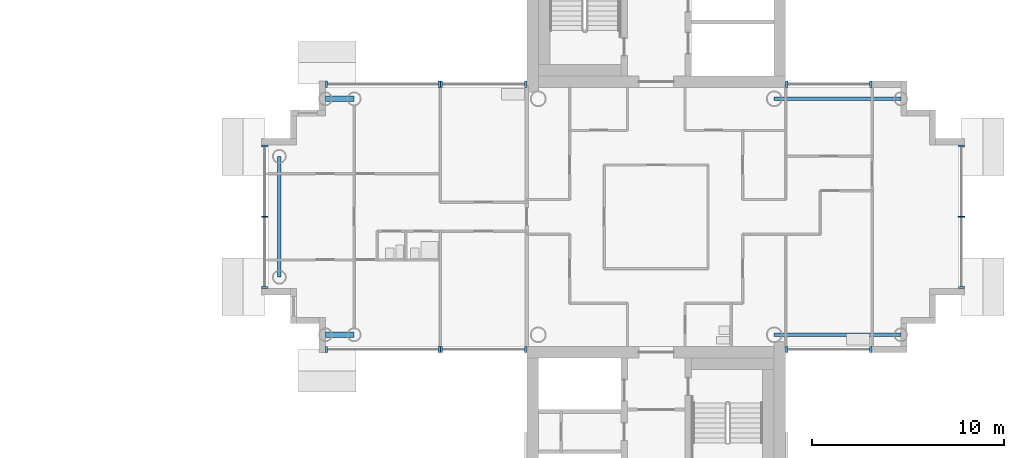
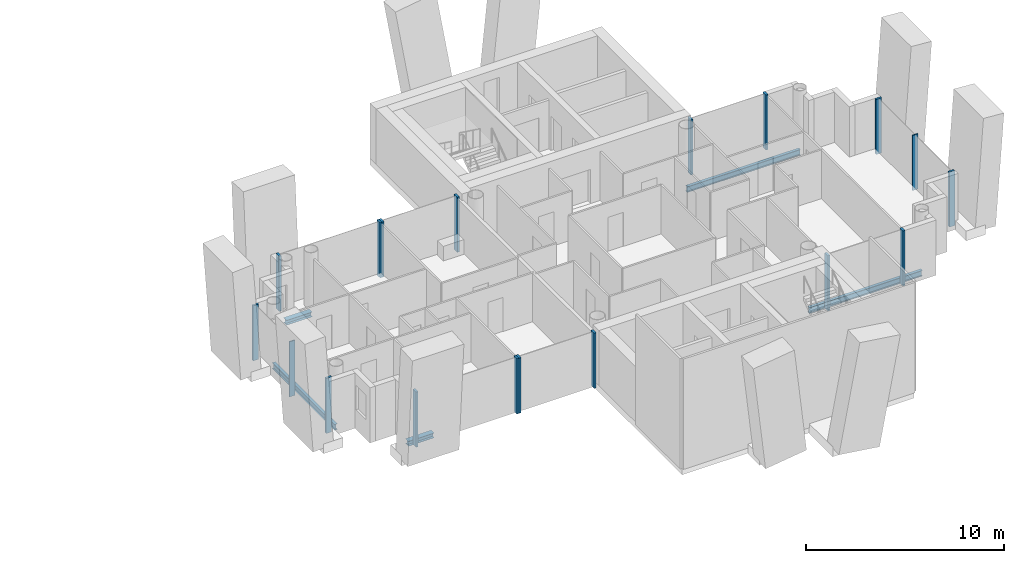
# One storey, part 4 of 18: 18 members, 5 beams, 8 elements without a shape of their own.
"""IFC4 building model written with IfcOpenShell, lengths in metres."""

from ifc_helpers import new_model, si_unit, direction, frame, origin, origin_2d, place, context, subcontext, project, spatial, rectangle, i_section, extrude, material, layer, layer_set, material_profile, profile_set, type_object, element, aggregate, save


model = new_model("IFC4")

# Units and contexts
model_context = context("Model", 3, precision=1e-05, world=origin(), true_north=direction((0.0, 1.0)))
body_context = subcontext(model_context, "Body", "Model", "MODEL_VIEW")
ifc_project = project(units=[si_unit("LENGTHUNIT", "METRE"), si_unit("AREAUNIT", "SQUARE_METRE"), si_unit("VOLUMEUNIT", "CUBIC_METRE"), si_unit("PLANEANGLEUNIT", "RADIAN"), si_unit("MASSUNIT", "GRAM", prefix="KILO")], contexts=[model_context])

# Site, building, storey
site_placement = place(None, origin())
site = spatial("IfcSite", under=ifc_project, at=site_placement, CompositionType="ELEMENT")
building_placement = place(site_placement, origin())
building = spatial("IfcBuilding", under=site, at=building_placement, Name="Ipe Terrace Towers", CompositionType="ELEMENT")
storey_placement = place(building_placement, frame((0.0, 0.0, 216.39990234375)))
storey = spatial("IfcBuildingStorey", under=building, at=storey_placement, Name="L60", CompositionType="ELEMENT", Elevation=216.39990234375)

# Beams
ifc_material_1 = material(Name="Steel S355", Category="steel")
ifc_material_profile_1 = material_profile(ifc_material_1, i_section(OverallWidth=0.300048828125, OverallDepth=0.300048828125, WebThickness=0.010009765625, FlangeThickness=0.014892578125, at=origin_2d()), Name="H-300x300x10x15")
ifc_profile_set_1 = profile_set([ifc_material_profile_1], Name="Steel S355")
beam_type_1 = type_object("IfcBeamType", Name="H03 EDGE BEAM H-300x300x10x15", PredefinedType="BEAM", material=ifc_profile_set_1)
for number, where, z_axis, x_axis, name in (
    (1, (20.25, 6.14990234375, -0.5498046875), (-1.0, 0.0, 0.0), (0.0, -1.0, 0.0), "Edge beam T2-EB-B03-B05"),
    (2, (20.25, -6.14990234375, -0.5498046875), (-1.0, 0.0, 0.0), (0.0, -1.0, 0.0), "Edge beam T2-EB-B04-B06"),
):
    element("IfcBeam", number, at=place(storey_placement, frame(where, z_axis=z_axis, x_axis=x_axis)), inside=storey, type_object=beam_type_1, Name=name, PredefinedType="BEAM", context=body_context, shape_type="SweptSolid", body=[
        extrude(i_section(OverallWidth=0.300048828125, OverallDepth=0.300048828125, WebThickness=0.010009765625, FlangeThickness=0.014892578125, at=origin_2d()), origin(), (0.0, 0.0, 1.0), 1.5),
    ])
ifc_material_2 = material(Name="Steel S355", Category="steel")
ifc_material_profile_2 = material_profile(ifc_material_2, i_section(OverallWidth=0.175048828125, OverallDepth=0.35009765625, WebThickness=0.007080078125, FlangeThickness=0.010986328125, at=origin_2d()), Name="H-350x175x7x11")
ifc_profile_set_2 = profile_set([ifc_material_profile_2], Name="Steel S355")
beam_type_2 = type_object("IfcBeamType", Name="H04 EDGE BEAM H-350x175x7x11", PredefinedType="BEAM", material=ifc_profile_set_2)
beam_placement = place(storey_placement, frame((16.35009765625, 3.14990234375, -0.574951171875), z_axis=(0.0, -1.0, 0.0), x_axis=(1.0, 0.0, 0.0)))
element("IfcBeam", 3, at=beam_placement, inside=storey, type_object=beam_type_2, Name="Edge beam T2-EB-B07-B08", PredefinedType="BEAM", context=body_context, shape_type="SweptSolid", body=[
    extrude(i_section(OverallWidth=0.175048828125, OverallDepth=0.35009765625, WebThickness=0.007080078125, FlangeThickness=0.010986328125, at=origin_2d()), origin(), (0.0, 0.0, 1.0), 6.2998046875),
])
for number, where, z_axis, x_axis, name in (
    (4, (48.75, -6.14990234375, -0.574951171875), (-1.0, 0.0, 0.0), (0.0, -1.0, 0.0), "Edge beam T2-EB-D01-E01"),
    (5, (48.75, 6.14990234375, -0.574951171875), (-1.0, 0.0, 0.0), (0.0, -1.0, 0.0), "Edge beam T2-EB-D02-E02"),
):
    element("IfcBeam", number, at=place(storey_placement, frame(where, z_axis=z_axis, x_axis=x_axis)), inside=storey, type_object=beam_type_2, Name=name, PredefinedType="BEAM", context=body_context, shape_type="SweptSolid", body=[
        extrude(i_section(OverallWidth=0.175048828125, OverallDepth=0.35009765625, WebThickness=0.007080078125, FlangeThickness=0.010986328125, at=origin_2d()), origin(), (0.0, 0.0, 1.0), 6.60009765625),
    ])

# Curtain wall, members
ifc_material_3 = material(Name="Aluminium alloy 6063-T6", Category="aluminium")
ifc_layer = layer(ifc_material_3, 0.320068359375)
ifc_layer_set = layer_set([ifc_layer], Name="TOWER UNITISED CURTAIN WALL")
curtain_wall_type = type_object("IfcCurtainWallType", Name="TOWER UNITISED CURTAIN WALL", PredefinedType="NOTDEFINED", material=ifc_layer_set)
curtain_wall_1_placement = place(storey_placement, origin())
curtain_wall_1 = element("IfcCurtainWall", 6, at=curtain_wall_1_placement, inside=storey, type_object=curtain_wall_type, Name="T2-CW-L60-02a curtain wall", PredefinedType="NOTDEFINED")
ifc_material_4 = material(Name="Aluminium alloy 6063-T6", Category="aluminium")
ifc_material_profile_3 = material_profile(ifc_material_4, rectangle(XDim=0.320068359375, YDim=0.1201171875, at=origin_2d()), Name="TOWER UNITISED CORNER MULLION 320 x 120")
ifc_profile_set_3 = profile_set([ifc_material_profile_3], Name="Aluminium alloy 6063-T6")
member_type_1 = type_object("IfcMemberType", Name="TOWER UNITISED CORNER MULLION 320 x 120", PredefinedType="MULLION", material=ifc_profile_set_3)
member_1_placement = place(storey_placement, frame((42.81005859375, -6.909912109375, -0.2998046875), z_axis=(0.0, 0.0, 1.0), x_axis=(0.0, -1.0, 0.0)))
member_1 = element("IfcMember", 7, at=member_1_placement, type_object=member_type_1, Name="T2-CW-L60-02a mullion 1", PredefinedType="MULLION", context=body_context, shape_type="SweptSolid", body=[
    extrude(rectangle(XDim=0.320068359375, YDim=0.1201171875, at=origin_2d()), origin(), (0.0, 0.0, 1.0), 3.39990234375),
])
member_2_placement = place(storey_placement, frame((47.18994140625, -6.909912109375, -0.2998046875), z_axis=(0.0, 0.0, 1.0), x_axis=(0.0, -1.0, 0.0)))
member_2 = element("IfcMember", 8, at=member_2_placement, type_object=member_type_1, Name="T2-CW-L60-02a mullion 2", PredefinedType="MULLION", context=body_context, shape_type="SweptSolid", body=[
    extrude(rectangle(XDim=0.320068359375, YDim=0.1201171875, at=origin_2d()), origin(), (0.0, 0.0, 1.0), 3.39990234375),
])
aggregate(curtain_wall_1, [member_1, member_2])

curtain_wall_2_placement = place(storey_placement, origin())
curtain_wall_2 = element("IfcCurtainWall", 9, at=curtain_wall_2_placement, inside=storey, type_object=curtain_wall_type, Name="T2-CW-L60-08a curtain wall", PredefinedType="NOTDEFINED")
member_3_placement = place(storey_placement, frame((51.909912109375, -3.68994140625, -0.2998046875), z_axis=(0.0, 0.0, 1.0), x_axis=(1.0, 0.0, 0.0)))
member_3 = element("IfcMember", 10, at=member_3_placement, type_object=member_type_1, Name="T2-CW-L60-08a mullion 1", PredefinedType="MULLION", context=body_context, shape_type="SweptSolid", body=[
    extrude(rectangle(XDim=0.320068359375, YDim=0.1201171875, at=origin_2d()), origin(), (0.0, 0.0, 1.0), 3.39990234375),
])
member_4_placement = place(storey_placement, frame((51.909912109375, 3.68994140625, -0.2998046875), z_axis=(0.0, 0.0, 1.0), x_axis=(1.0, 0.0, 0.0)))
member_4 = element("IfcMember", 11, at=member_4_placement, type_object=member_type_1, Name="T2-CW-L60-08a mullion 3", PredefinedType="MULLION", context=body_context, shape_type="SweptSolid", body=[
    extrude(rectangle(XDim=0.320068359375, YDim=0.1201171875, at=origin_2d()), origin(), (0.0, 0.0, 1.0), 3.39990234375),
])

curtain_wall_3_placement = place(storey_placement, origin())
curtain_wall_3 = element("IfcCurtainWall", 12, at=curtain_wall_3_placement, inside=storey, type_object=curtain_wall_type, Name="T2-CW-L60-14a curtain wall", PredefinedType="NOTDEFINED")
member_5_placement = place(storey_placement, frame((47.18994140625, 6.909912109375, -0.2998046875), z_axis=(0.0, 0.0, 1.0), x_axis=(0.0, 1.0, 0.0)))
member_5 = element("IfcMember", 13, at=member_5_placement, type_object=member_type_1, Name="T2-CW-L60-14a mullion 1", PredefinedType="MULLION", context=body_context, shape_type="SweptSolid", body=[
    extrude(rectangle(XDim=0.320068359375, YDim=0.1201171875, at=origin_2d()), origin(), (0.0, 0.0, 1.0), 3.39990234375),
])
member_6_placement = place(storey_placement, frame((42.81005859375, 6.909912109375, -0.2998046875), z_axis=(0.0, 0.0, 1.0), x_axis=(0.0, 1.0, 0.0)))
member_6 = element("IfcMember", 14, at=member_6_placement, type_object=member_type_1, Name="T2-CW-L60-14a mullion 2", PredefinedType="MULLION", context=body_context, shape_type="SweptSolid", body=[
    extrude(rectangle(XDim=0.320068359375, YDim=0.1201171875, at=origin_2d()), origin(), (0.0, 0.0, 1.0), 3.39990234375),
])
aggregate(curtain_wall_3, [member_5, member_6])

curtain_wall_4_placement = place(storey_placement, origin())
curtain_wall_4 = element("IfcCurtainWall", 15, at=curtain_wall_4_placement, inside=storey, type_object=curtain_wall_type, Name="T2-CW-L60-20a curtain wall", PredefinedType="NOTDEFINED")
member_7_placement = place(storey_placement, frame((29.18994140625, 6.909912109375, -0.2998046875), z_axis=(0.0, 0.0, 1.0), x_axis=(0.0, 1.0, 0.0)))
member_7 = element("IfcMember", 16, at=member_7_placement, type_object=member_type_1, Name="T2-CW-L60-20a mullion 1", PredefinedType="MULLION", context=body_context, shape_type="SweptSolid", body=[
    extrude(rectangle(XDim=0.320068359375, YDim=0.1201171875, at=origin_2d()), origin(), (0.0, 0.0, 1.0), 3.39990234375),
])
member_8_placement = place(storey_placement, frame((24.81005859375, 6.909912109375, -0.2998046875), z_axis=(0.0, 0.0, 1.0), x_axis=(0.0, 1.0, 0.0)))
member_8 = element("IfcMember", 17, at=member_8_placement, type_object=member_type_1, Name="T2-CW-L60-20a mullion 2", PredefinedType="MULLION", context=body_context, shape_type="SweptSolid", body=[
    extrude(rectangle(XDim=0.320068359375, YDim=0.1201171875, at=origin_2d()), origin(), (0.0, 0.0, 1.0), 3.39990234375),
])
aggregate(curtain_wall_4, [member_7, member_8])

curtain_wall_5_placement = place(storey_placement, origin())
curtain_wall_5 = element("IfcCurtainWall", 18, at=curtain_wall_5_placement, inside=storey, type_object=curtain_wall_type, Name="T2-CW-L60-21a curtain wall", PredefinedType="NOTDEFINED")
member_9_placement = place(storey_placement, frame((24.68994140625, 6.909912109375, -0.2998046875), z_axis=(0.0, 0.0, 1.0), x_axis=(0.0, 1.0, 0.0)))
member_9 = element("IfcMember", 19, at=member_9_placement, type_object=member_type_1, Name="T2-CW-L60-21a mullion 1", PredefinedType="MULLION", context=body_context, shape_type="SweptSolid", body=[
    extrude(rectangle(XDim=0.320068359375, YDim=0.1201171875, at=origin_2d()), origin(), (0.0, 0.0, 1.0), 3.39990234375),
])
member_10_placement = place(storey_placement, frame((18.81005859375, 6.909912109375, -0.2998046875), z_axis=(0.0, 0.0, 1.0), x_axis=(0.0, 1.0, 0.0)))
member_10 = element("IfcMember", 20, at=member_10_placement, type_object=member_type_1, Name="T2-CW-L60-21a mullion 2", PredefinedType="MULLION", context=body_context, shape_type="SweptSolid", body=[
    extrude(rectangle(XDim=0.320068359375, YDim=0.1201171875, at=origin_2d()), origin(), (0.0, 0.0, 1.0), 3.39990234375),
])
aggregate(curtain_wall_5, [member_9, member_10])

curtain_wall_6_placement = place(storey_placement, origin())
curtain_wall_6 = element("IfcCurtainWall", 21, at=curtain_wall_6_placement, inside=storey, type_object=curtain_wall_type, Name="T2-CW-L60-26a curtain wall", PredefinedType="NOTDEFINED")
member_11_placement = place(storey_placement, frame((15.590087890625, 3.68994140625, -0.2998046875), z_axis=(0.0, 0.0, 1.0), x_axis=(-1.0, 0.0, 0.0)))
member_11 = element("IfcMember", 22, at=member_11_placement, type_object=member_type_1, Name="T2-CW-L60-26a mullion 1", PredefinedType="MULLION", context=body_context, shape_type="SweptSolid", body=[
    extrude(rectangle(XDim=0.320068359375, YDim=0.1201171875, at=origin_2d()), origin(), (0.0, 0.0, 1.0), 3.39990234375),
])
member_12_placement = place(storey_placement, frame((15.590087890625, -3.68994140625, -0.2998046875), z_axis=(0.0, 0.0, 1.0), x_axis=(-1.0, 0.0, 0.0)))
member_12 = element("IfcMember", 23, at=member_12_placement, type_object=member_type_1, Name="T2-CW-L60-26a mullion 3", PredefinedType="MULLION", context=body_context, shape_type="SweptSolid", body=[
    extrude(rectangle(XDim=0.320068359375, YDim=0.1201171875, at=origin_2d()), origin(), (0.0, 0.0, 1.0), 3.39990234375),
])

curtain_wall_7_placement = place(storey_placement, origin())
curtain_wall_7 = element("IfcCurtainWall", 24, at=curtain_wall_7_placement, inside=storey, type_object=curtain_wall_type, Name="T2-CW-L60-31a curtain wall", PredefinedType="NOTDEFINED")
member_13_placement = place(storey_placement, frame((18.81005859375, -6.909912109375, -0.2998046875), z_axis=(0.0, 0.0, 1.0), x_axis=(0.0, -1.0, 0.0)))
member_13 = element("IfcMember", 25, at=member_13_placement, type_object=member_type_1, Name="T2-CW-L60-31a mullion 1", PredefinedType="MULLION", context=body_context, shape_type="SweptSolid", body=[
    extrude(rectangle(XDim=0.320068359375, YDim=0.1201171875, at=origin_2d()), origin(), (0.0, 0.0, 1.0), 3.39990234375),
])
member_14_placement = place(storey_placement, frame((24.68994140625, -6.909912109375, -0.2998046875), z_axis=(0.0, 0.0, 1.0), x_axis=(0.0, -1.0, 0.0)))
member_14 = element("IfcMember", 26, at=member_14_placement, type_object=member_type_1, Name="T2-CW-L60-31a mullion 2", PredefinedType="MULLION", context=body_context, shape_type="SweptSolid", body=[
    extrude(rectangle(XDim=0.320068359375, YDim=0.1201171875, at=origin_2d()), origin(), (0.0, 0.0, 1.0), 3.39990234375),
])
aggregate(curtain_wall_7, [member_13, member_14])

curtain_wall_8_placement = place(storey_placement, origin())
curtain_wall_8 = element("IfcCurtainWall", 27, at=curtain_wall_8_placement, inside=storey, type_object=curtain_wall_type, Name="T2-CW-L60-32a curtain wall", PredefinedType="NOTDEFINED")
member_15_placement = place(storey_placement, frame((24.81005859375, -6.909912109375, -0.2998046875), z_axis=(0.0, 0.0, 1.0), x_axis=(0.0, -1.0, 0.0)))
member_15 = element("IfcMember", 28, at=member_15_placement, type_object=member_type_1, Name="T2-CW-L60-32a mullion 1", PredefinedType="MULLION", context=body_context, shape_type="SweptSolid", body=[
    extrude(rectangle(XDim=0.320068359375, YDim=0.1201171875, at=origin_2d()), origin(), (0.0, 0.0, 1.0), 3.39990234375),
])
member_16_placement = place(storey_placement, frame((29.18994140625, -6.909912109375, -0.2998046875), z_axis=(0.0, 0.0, 1.0), x_axis=(0.0, -1.0, 0.0)))
member_16 = element("IfcMember", 29, at=member_16_placement, type_object=member_type_1, Name="T2-CW-L60-32a mullion 2", PredefinedType="MULLION", context=body_context, shape_type="SweptSolid", body=[
    extrude(rectangle(XDim=0.320068359375, YDim=0.1201171875, at=origin_2d()), origin(), (0.0, 0.0, 1.0), 3.39990234375),
])
aggregate(curtain_wall_8, [member_15, member_16])

# Member
ifc_material_5 = material(Name="Aluminium alloy 6063-T6", Category="aluminium")
ifc_material_profile_4 = material_profile(ifc_material_5, rectangle(XDim=0.320068359375, YDim=0.06494140625, at=origin_2d()), Name="TOWER UNITISED MULLION 320 x 65")
ifc_profile_set_4 = profile_set([ifc_material_profile_4], Name="Aluminium alloy 6063-T6")
member_type_2 = type_object("IfcMemberType", Name="TOWER UNITISED MULLION 320 x 65", PredefinedType="MULLION", material=ifc_profile_set_4)
member_17_placement = place(storey_placement, frame((51.909912109375, 0.0, -0.2998046875), z_axis=(0.0, 0.0, 1.0), x_axis=(1.0, 0.0, 0.0)))
member_17 = element("IfcMember", 30, at=member_17_placement, type_object=member_type_2, Name="T2-CW-L60-08a mullion 2", PredefinedType="MULLION", context=body_context, shape_type="SweptSolid", body=[
    extrude(rectangle(XDim=0.320068359375, YDim=0.06494140625, at=origin_2d()), origin(), (0.0, 0.0, 1.0), 3.39990234375),
])

aggregate(curtain_wall_2, [member_3, member_17, member_4])

member_18_placement = place(storey_placement, frame((15.590087890625, 0.0, -0.2998046875), z_axis=(0.0, 0.0, 1.0), x_axis=(-1.0, 0.0, 0.0)))
member_18 = element("IfcMember", 31, at=member_18_placement, type_object=member_type_2, Name="T2-CW-L60-26a mullion 2", PredefinedType="MULLION", context=body_context, shape_type="SweptSolid", body=[
    extrude(rectangle(XDim=0.320068359375, YDim=0.06494140625, at=origin_2d()), origin(), (0.0, 0.0, 1.0), 3.39990234375),
])

aggregate(curtain_wall_6, [member_11, member_18, member_12])

save(model, "model.ifc")
